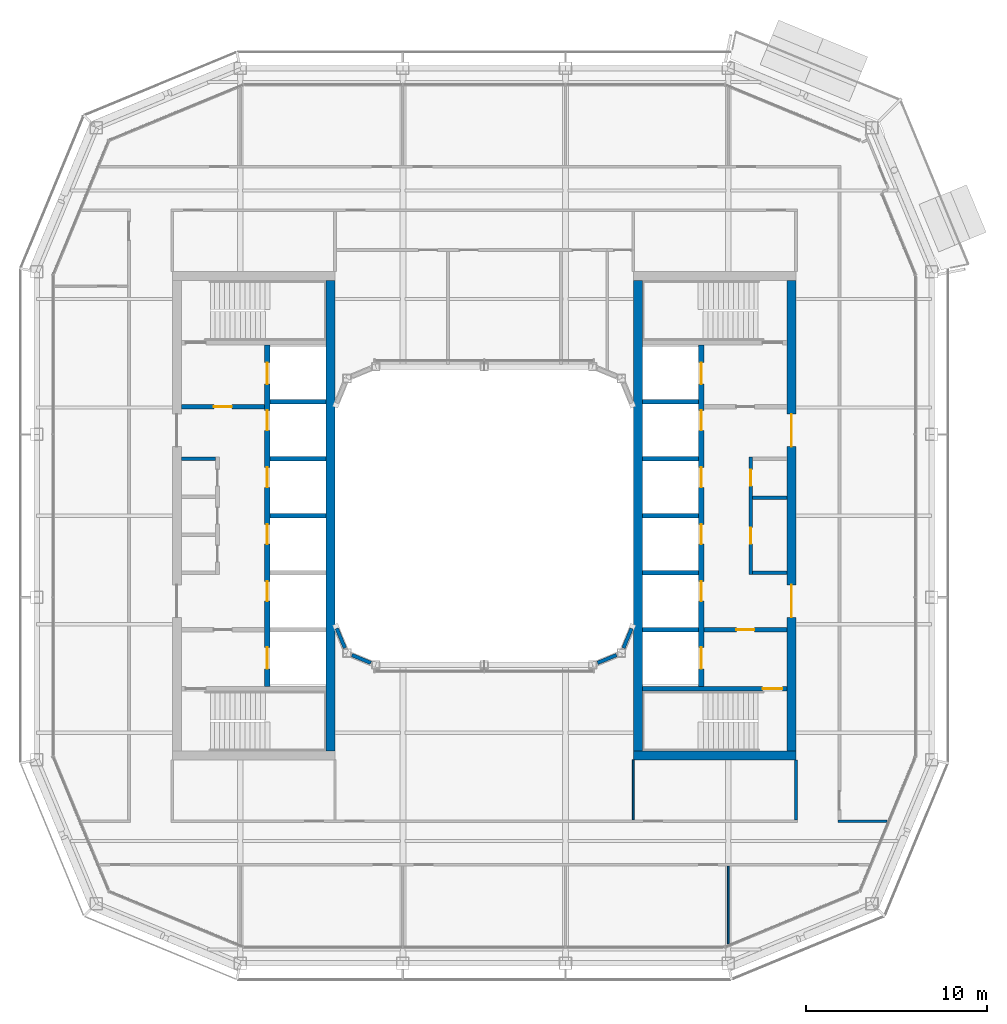
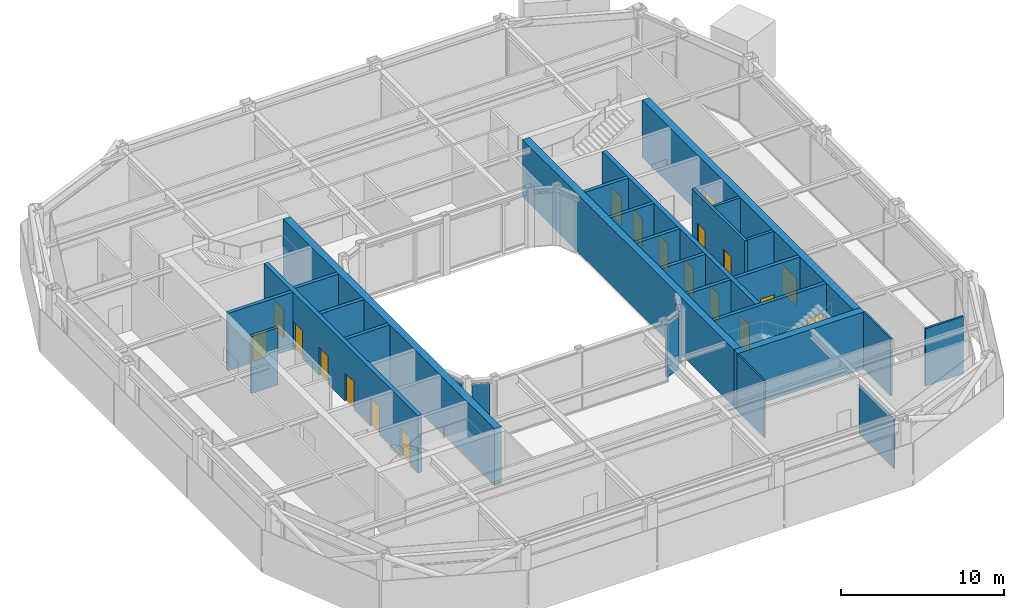
# One storey, part 12 of 21: 29 walls, 19 doors, 19 openings.
"""IFC4 building model written with IfcOpenShell, lengths in metres."""

from ifc_helpers import new_model, si_unit, direction, frame, frame_2d, origin, place, context, subcontext, project, spatial, rectangle, extrude, material, layer, layer_set, type_object, element, fill, save


model = new_model("IFC4")

# Units and contexts
model_context = context("Model", 3, precision=1e-05, world=origin(), true_north=direction((0.0, 1.0)))
body_context = subcontext(model_context, "Body", "Model", "MODEL_VIEW")
ifc_project = project(units=[si_unit("LENGTHUNIT", "METRE"), si_unit("AREAUNIT", "SQUARE_METRE"), si_unit("VOLUMEUNIT", "CUBIC_METRE"), si_unit("PLANEANGLEUNIT", "RADIAN"), si_unit("MASSUNIT", "GRAM", prefix="KILO")], contexts=[model_context])

# Site, building, storey
site_placement = place(None, origin())
site = spatial("IfcSite", under=ifc_project, at=site_placement, CompositionType="ELEMENT")
building_placement = place(site_placement, origin())
building = spatial("IfcBuilding", under=site, at=building_placement, Name="Siwar Civic Tower", CompositionType="ELEMENT")
storey_placement = place(building_placement, frame((0.0, 0.0, 343.699951171875)))
storey = spatial("IfcBuildingStorey", under=building, at=storey_placement, Name="L74", CompositionType="ELEMENT", Elevation=343.699951171875)

# Wall
ifc_material_1 = material(Name="Gypsum board on steel studs", Category="steel")
ifc_layer_1 = layer(ifc_material_1, 0.199951171875)
ifc_layer_set_1 = layer_set([ifc_layer_1], Name="Gypsum board on steel studs")
wall_type_1 = type_object("IfcWallType", Name="CORE-PARTITION-200", PredefinedType="PARTITIONING", material=ifc_layer_set_1)
wall_1_placement = place(storey_placement, frame((-14.85009765625, 3.14990234375, 0.0), z_axis=(0.0, 0.0, 1.0), x_axis=(-1.0, 0.0, 0.0)))
element("IfcWall", 1, at=wall_1_placement, inside=storey, type_object=wall_type_1, Name="Core partition W", PredefinedType="PARTITIONING", context=body_context, shape_type="SweptSolid", body=[
    extrude(rectangle(XDim=1.89990234375, YDim=0.199951171875, at=frame_2d((0.949951171875, 0.0))), origin(), (0.0, 0.0, 1.0), 4.300048828125),
])

# Wall, openings, doors
wall_2_placement = place(storey_placement, frame((14.75, -3.25, 0.0), z_axis=(0.0, 0.0, 1.0), x_axis=(0.0, 1.0, 0.0)))
wall_2 = element("IfcWall", 2, at=wall_2_placement, inside=storey, type_object=wall_type_1, Name="Core partition E", PredefinedType="PARTITIONING", context=body_context, shape_type="SweptSolid", body=[
    extrude(rectangle(XDim=6.5, YDim=0.199951171875, at=frame_2d((3.25, 0.0))), origin(), (0.0, 0.0, 1.0), 4.300048828125),
])
opening_1_placement = place(wall_2_placement, frame((1.699951171875, 0.0, 0.0)))
opening_1 = element("IfcOpeningElement", 3, at=opening_1_placement, cuts=wall_2, Name="Opening L74-CE13", PredefinedType="OPENING", context=body_context, shape_type="SweptSolid", body=[
    extrude(rectangle(XDim=0.89990234375, YDim=2.10009765625, at=frame_2d((0.449951171875, 1.050048828125))), frame((0.0, 0.10986328125, 0.0), z_axis=(0.0, -1.0, 0.0), x_axis=(1.0, 0.0, 0.0)), (0.0, 0.0, 1.0), 0.219970703125),
])
opening_2_placement = place(wall_2_placement, frame((4.89990234375, 0.0, 0.0)))
opening_2 = element("IfcOpeningElement", 4, at=opening_2_placement, cuts=wall_2, Name="Opening L74-CE14", PredefinedType="OPENING", context=body_context, shape_type="SweptSolid", body=[
    extrude(rectangle(XDim=0.89990234375, YDim=2.10009765625, at=frame_2d((0.449951171875, 1.050048828125))), frame((0.0, 0.10986328125, 0.0), z_axis=(0.0, -1.0, 0.0), x_axis=(1.0, 0.0, 0.0)), (0.0, 0.0, 1.0), 0.219970703125),
])
ifc_material_2 = material(Name="Steel door leaf", Category="steel")
door_type_1 = type_object("IfcDoorType", Name="CORE-DOOR-ROOM", OperationType="SINGLE_SWING_LEFT", PredefinedType="DOOR", material=ifc_material_2)
door_1_placement = place(opening_1_placement, origin())
door_1 = element("IfcDoor", 5, at=door_1_placement, inside=storey, type_object=door_type_1, Name="Core room door L74-CE13", OperationType="SINGLE_SWING_LEFT", OverallHeight=2.10009765625, OverallWidth=0.89990234375, PredefinedType="DOOR", context=body_context, shape_type="SweptSolid", body=[
    extrude(rectangle(XDim=0.89990234375, YDim=2.10009765625, at=frame_2d((0.449951171875, 1.050048828125))), frame((0.0, 0.02490234375, 0.0), z_axis=(0.0, -1.0, 0.0), x_axis=(1.0, 0.0, 0.0)), (0.0, 0.0, 1.0), 0.050048828125),
])
fill(opening_1, door_1)
door_2_placement = place(opening_2_placement, origin())
door_2 = element("IfcDoor", 6, at=door_2_placement, inside=storey, type_object=door_type_1, Name="Core room door L74-CE14", OperationType="SINGLE_SWING_RIGHT", OverallHeight=2.10009765625, OverallWidth=0.89990234375, PredefinedType="DOOR", context=body_context, shape_type="SweptSolid", body=[
    extrude(rectangle(XDim=0.89990234375, YDim=2.10009765625, at=frame_2d((0.449951171875, 1.050048828125))), frame((0.0, 0.02490234375, 0.0), z_axis=(0.0, -1.0, 0.0), x_axis=(1.0, 0.0, 0.0)), (0.0, 0.0, 1.0), 0.050048828125),
])
fill(opening_2, door_2)

# Walls
for number, where, z_axis, x_axis, name in (
    (7, (14.85009765625, -3.14990234375, 0.0), (0.0, 0.0, 1.0), (1.0, 0.0, 0.0), "Core partition E"),
    (8, (14.85009765625, 1.0, 0.0), (0.0, 0.0, 1.0), (1.0, 0.0, 0.0), "Core partition E"),
):
    element("IfcWall", number, at=place(storey_placement, frame(where, z_axis=z_axis, x_axis=x_axis)), inside=storey, type_object=wall_type_1, Name=name, PredefinedType="PARTITIONING", context=body_context, shape_type="SweptSolid", body=[
        extrude(rectangle(XDim=1.89990234375, YDim=0.199951171875, at=frame_2d((0.949951171875, 0.0))), origin(), (0.0, 0.0, 1.0), 4.300048828125),
    ])

# Wall, opening, door
ifc_material_3 = material(Name="Concrete C60/75", Category="concrete")
ifc_layer_2 = layer(ifc_material_3, 0.25)
ifc_layer_set_2 = layer_set([ifc_layer_2], Name="Concrete C60/75")
wall_type_2 = type_object("IfcWallType", Name="CORE-WALL-RC250", PredefinedType="SHEAR", material=ifc_layer_set_2)
wall_3_placement = place(storey_placement, frame((-12.14990234375, 6.02490234375, 0.0), z_axis=(0.0, 0.0, 1.0), x_axis=(-1.0, 0.0, 0.0)))
wall_3 = element("IfcWall", 9, at=wall_3_placement, inside=storey, type_object=wall_type_2, Name="Core wall W", PredefinedType="SHEAR", context=body_context, shape_type="SweptSolid", body=[
    extrude(rectangle(XDim=4.60009765625, YDim=0.25, at=frame_2d((2.300048828125, 0.0))), origin(), (0.0, 0.0, 1.0), 4.300048828125),
])
opening_3_placement = place(wall_3_placement, frame((1.800048828125, 0.0, 0.0)))
opening_3 = element("IfcOpeningElement", 10, at=opening_3_placement, cuts=wall_3, Name="Opening L74-CW01", PredefinedType="OPENING", context=body_context, shape_type="SweptSolid", body=[
    extrude(rectangle(XDim=1.0, YDim=2.10009765625, at=frame_2d((0.5, 1.050048828125))), frame((0.0, 0.135009765625, 0.0), z_axis=(0.0, -1.0, 0.0), x_axis=(1.0, 0.0, 0.0)), (0.0, 0.0, 1.0), 0.27001953125),
])
ifc_material_4 = material(Name="Steel door leaf", Category="steel")
door_type_2 = type_object("IfcDoorType", Name="CORE-DOOR-FD30S", OperationType="SINGLE_SWING_LEFT", PredefinedType="DOOR", material=ifc_material_4)
door_3_placement = place(opening_3_placement, origin())
door_3 = element("IfcDoor", 11, at=door_3_placement, inside=storey, type_object=door_type_2, Name="Firefighting lobby door L74-CW01", OperationType="SINGLE_SWING_LEFT", OverallHeight=2.10009765625, OverallWidth=1.0, PredefinedType="DOOR", context=body_context, shape_type="SweptSolid", body=[
    extrude(rectangle(XDim=1.0, YDim=2.10009765625, at=frame_2d((0.5, 1.050048828125))), frame((0.0, 0.02490234375, 0.0), z_axis=(0.0, -1.0, 0.0), x_axis=(1.0, 0.0, 0.0)), (0.0, 0.0, 1.0), 0.050048828125),
])
fill(opening_3, door_3)

# Walls
for number, where, z_axis, x_axis, name in (
    (12, (-8.75, 0.0, 0.0), (0.0, 0.0, 1.0), (-1.0, 0.0, 0.0), "Core wall W"),
    (13, (-8.75, 3.14990234375, 0.0), (0.0, 0.0, 1.0), (-1.0, 0.0, 0.0), "Core wall W"),
    (14, (-8.75, 6.300048828125, 0.0), (0.0, 0.0, 1.0), (-1.0, 0.0, 0.0), "Core wall W"),
):
    element("IfcWall", number, at=place(storey_placement, frame(where, z_axis=z_axis, x_axis=x_axis)), inside=storey, type_object=wall_type_2, Name=name, PredefinedType="SHEAR", context=body_context, shape_type="SweptSolid", body=[
        extrude(rectangle(XDim=3.10009765625, YDim=0.25, at=frame_2d((1.550048828125, 0.0))), origin(), (0.0, 0.0, 1.0), 4.300048828125),
    ])

# Wall, opening, door
wall_4_placement = place(storey_placement, frame((12.14990234375, -6.300048828125, 0.0), z_axis=(0.0, 0.0, 1.0), x_axis=(1.0, 0.0, 0.0)))
wall_4 = element("IfcWall", 15, at=wall_4_placement, inside=storey, type_object=wall_type_2, Name="Core wall E", PredefinedType="SHEAR", context=body_context, shape_type="SweptSolid", body=[
    extrude(rectangle(XDim=4.60009765625, YDim=0.25, at=frame_2d((2.300048828125, 0.0))), origin(), (0.0, 0.0, 1.0), 4.300048828125),
])
opening_4_placement = place(wall_4_placement, frame((1.800048828125, 0.0, 0.0)))
opening_4 = element("IfcOpeningElement", 16, at=opening_4_placement, cuts=wall_4, Name="Opening L74-CE02", PredefinedType="OPENING", context=body_context, shape_type="SweptSolid", body=[
    extrude(rectangle(XDim=1.0, YDim=2.10009765625, at=frame_2d((0.5, 1.050048828125))), frame((0.0, 0.135009765625, 0.0), z_axis=(0.0, -1.0, 0.0), x_axis=(1.0, 0.0, 0.0)), (0.0, 0.0, 1.0), 0.27001953125),
])
door_4_placement = place(opening_4_placement, origin())
door_4 = element("IfcDoor", 17, at=door_4_placement, inside=storey, type_object=door_type_2, Name="Service lobby door L74-CE02", OperationType="SINGLE_SWING_LEFT", OverallHeight=2.10009765625, OverallWidth=1.0, PredefinedType="DOOR", context=body_context, shape_type="SweptSolid", body=[
    extrude(rectangle(XDim=1.0, YDim=2.10009765625, at=frame_2d((0.5, 1.050048828125))), frame((0.0, 0.02490234375, 0.0), z_axis=(0.0, -1.0, 0.0), x_axis=(1.0, 0.0, 0.0)), (0.0, 0.0, 1.0), 0.050048828125),
])
fill(opening_4, door_4)

# Walls
for number, where, z_axis, x_axis, name in (
    (18, (8.75, 0.0, 0.0), (0.0, 0.0, 1.0), (1.0, 0.0, 0.0), "Core wall E"),
    (19, (8.75, 3.14990234375, 0.0), (0.0, 0.0, 1.0), (1.0, 0.0, 0.0), "Core wall E"),
    (20, (8.75, 6.300048828125, 0.0), (0.0, 0.0, 1.0), (1.0, 0.0, 0.0), "Core wall E"),
    (21, (8.75, -3.14990234375, 0.0), (0.0, 0.0, 1.0), (1.0, 0.0, 0.0), "Core wall E"),
    (22, (8.75, -6.300048828125, 0.0), (0.0, 0.0, 1.0), (1.0, 0.0, 0.0), "Core wall E"),
):
    element("IfcWall", number, at=place(storey_placement, frame(where, z_axis=z_axis, x_axis=x_axis)), inside=storey, type_object=wall_type_2, Name=name, PredefinedType="SHEAR", context=body_context, shape_type="SweptSolid", body=[
        extrude(rectangle(XDim=3.10009765625, YDim=0.25, at=frame_2d((1.550048828125, 0.0))), origin(), (0.0, 0.0, 1.0), 4.300048828125),
    ])

# Wall, opening, door
wall_5_placement = place(storey_placement, frame((8.75, -9.574951171875, 0.0), z_axis=(0.0, 0.0, 1.0), x_axis=(1.0, 0.0, 0.0)))
wall_5 = element("IfcWall", 23, at=wall_5_placement, inside=storey, type_object=wall_type_2, Name="Core wall E", PredefinedType="SHEAR", context=body_context, shape_type="SweptSolid", body=[
    extrude(rectangle(XDim=8.0, YDim=0.25, at=frame_2d((4.0, 0.0))), origin(), (0.0, 0.0, 1.0), 4.300048828125),
])
opening_5_placement = place(wall_5_placement, frame((6.64990234375, 0.0, 0.0)))
opening_5 = element("IfcOpeningElement", 24, at=opening_5_placement, cuts=wall_5, Name="Opening L74-CE04", PredefinedType="OPENING", context=body_context, shape_type="SweptSolid", body=[
    extrude(rectangle(XDim=1.10009765625, YDim=2.10009765625, at=frame_2d((0.550048828125, 1.050048828125))), frame((0.0, 0.135009765625, 0.0), z_axis=(0.0, -1.0, 0.0), x_axis=(1.0, 0.0, 0.0)), (0.0, 0.0, 1.0), 0.27001953125),
])
ifc_material_5 = material(Name="Steel door leaf", Category="steel")
door_type_3 = type_object("IfcDoorType", Name="CORE-DOOR-FD60S", OperationType="SINGLE_SWING_LEFT", PredefinedType="DOOR", material=ifc_material_5)
door_5_placement = place(opening_5_placement, origin())
door_5 = element("IfcDoor", 25, at=door_5_placement, inside=storey, type_object=door_type_3, Name="Stair door L74-CE04", OperationType="SINGLE_SWING_RIGHT", OverallHeight=2.10009765625, OverallWidth=1.10009765625, PredefinedType="DOOR", context=body_context, shape_type="SweptSolid", body=[
    extrude(rectangle(XDim=1.10009765625, YDim=2.10009765625, at=frame_2d((0.550048828125, 1.050048828125))), frame((0.0, 0.02490234375, 0.0), z_axis=(0.0, -1.0, 0.0), x_axis=(1.0, 0.0, 0.0)), (0.0, 0.0, 1.0), 0.050048828125),
])
fill(opening_5, door_5)

# Wall, openings, doors
ifc_material_6 = material(Name="Concrete C60/75", Category="concrete")
ifc_layer_3 = layer(ifc_material_6, 0.300048828125)
ifc_layer_set_3 = layer_set([ifc_layer_3], Name="Concrete C60/75")
wall_type_3 = type_object("IfcWallType", Name="CORE-WALL-RC300", PredefinedType="SHEAR", material=ifc_layer_set_3)
wall_6_placement = place(storey_placement, frame((-12.0, -9.449951171875, 0.0), z_axis=(0.0, 0.0, 1.0), x_axis=(0.0, 1.0, 0.0)))
wall_6 = element("IfcWall", 26, at=wall_6_placement, inside=storey, type_object=wall_type_3, Name="Core wall W", PredefinedType="SHEAR", context=body_context, shape_type="SweptSolid", body=[
    extrude(rectangle(XDim=18.89990234375, YDim=0.300048828125, at=frame_2d((9.449951171875, 0.0))), origin(), (0.0, 0.0, 1.0), 4.300048828125),
])
opening_6_placement = place(wall_6_placement, frame((4.72509765625, 0.0, 0.0)))
opening_6 = element("IfcOpeningElement", 27, at=opening_6_placement, cuts=wall_6, Name="Opening L74-CW07", PredefinedType="OPENING", context=body_context, shape_type="SweptSolid", body=[
    extrude(rectangle(XDim=1.10009765625, YDim=2.10009765625, at=frame_2d((0.550048828125, 1.050048828125))), frame((0.0, 0.16015625, 0.0), z_axis=(0.0, -1.0, 0.0), x_axis=(1.0, 0.0, 0.0)), (0.0, 0.0, 1.0), 0.320068359375),
])
opening_7_placement = place(wall_6_placement, frame((7.875, 0.0, 0.0)))
opening_7 = element("IfcOpeningElement", 28, at=opening_7_placement, cuts=wall_6, Name="Opening L74-CW08", PredefinedType="OPENING", context=body_context, shape_type="SweptSolid", body=[
    extrude(rectangle(XDim=1.10009765625, YDim=2.10009765625, at=frame_2d((0.550048828125, 1.050048828125))), frame((0.0, 0.16015625, 0.0), z_axis=(0.0, -1.0, 0.0), x_axis=(1.0, 0.0, 0.0)), (0.0, 0.0, 1.0), 0.320068359375),
])
opening_8_placement = place(wall_6_placement, frame((11.02490234375, 0.0, 0.0)))
opening_8 = element("IfcOpeningElement", 29, at=opening_8_placement, cuts=wall_6, Name="Opening L74-CW09", PredefinedType="OPENING", context=body_context, shape_type="SweptSolid", body=[
    extrude(rectangle(XDim=1.10009765625, YDim=2.10009765625, at=frame_2d((0.550048828125, 1.050048828125))), frame((0.0, 0.16015625, 0.0), z_axis=(0.0, -1.0, 0.0), x_axis=(1.0, 0.0, 0.0)), (0.0, 0.0, 1.0), 0.320068359375),
])
opening_9_placement = place(wall_6_placement, frame((14.175048828125, 0.0, 0.0)))
opening_9 = element("IfcOpeningElement", 30, at=opening_9_placement, cuts=wall_6, Name="Opening L74-CW10", PredefinedType="OPENING", context=body_context, shape_type="SweptSolid", body=[
    extrude(rectangle(XDim=1.10009765625, YDim=2.10009765625, at=frame_2d((0.550048828125, 1.050048828125))), frame((0.0, 0.16015625, 0.0), z_axis=(0.0, -1.0, 0.0), x_axis=(1.0, 0.0, 0.0)), (0.0, 0.0, 1.0), 0.320068359375),
])
opening_10_placement = place(wall_6_placement, frame((16.72509765625, 0.0, 0.0)))
opening_10 = element("IfcOpeningElement", 31, at=opening_10_placement, cuts=wall_6, Name="Opening L74-CW11", PredefinedType="OPENING", context=body_context, shape_type="SweptSolid", body=[
    extrude(rectangle(XDim=1.199951171875, YDim=2.10009765625, at=frame_2d((0.60009765625, 1.050048828125))), frame((0.0, 0.16015625, 0.0), z_axis=(0.0, -1.0, 0.0), x_axis=(1.0, 0.0, 0.0)), (0.0, 0.0, 1.0), 0.320068359375),
])
opening_11_placement = place(wall_6_placement, frame((0.97509765625, 0.0, 0.0)))
opening_11 = element("IfcOpeningElement", 32, at=opening_11_placement, cuts=wall_6, Name="Opening L74-CW12", PredefinedType="OPENING", context=body_context, shape_type="SweptSolid", body=[
    extrude(rectangle(XDim=1.199951171875, YDim=2.10009765625, at=frame_2d((0.60009765625, 1.050048828125))), frame((0.0, 0.16015625, 0.0), z_axis=(0.0, -1.0, 0.0), x_axis=(1.0, 0.0, 0.0)), (0.0, 0.0, 1.0), 0.320068359375),
])
ifc_material_7 = material(Name="Steel door leaf", Category="steel")
door_type_4 = type_object("IfcDoorType", Name="CORE-DOOR-LD", OperationType="DOUBLE_DOOR_SLIDING", PredefinedType="DOOR", material=ifc_material_7)
door_6_placement = place(opening_6_placement, origin())
door_6 = element("IfcDoor", 33, at=door_6_placement, inside=storey, type_object=door_type_4, Name="Landing door HR1 L74-CW07", OperationType="DOUBLE_DOOR_SLIDING", OverallHeight=2.10009765625, OverallWidth=1.10009765625, PredefinedType="DOOR", context=body_context, shape_type="SweptSolid", body=[
    extrude(rectangle(XDim=1.10009765625, YDim=2.10009765625, at=frame_2d((0.550048828125, 1.050048828125))), frame((0.0, 0.02490234375, 0.0), z_axis=(0.0, -1.0, 0.0), x_axis=(1.0, 0.0, 0.0)), (0.0, 0.0, 1.0), 0.050048828125),
])
fill(opening_6, door_6)
door_7_placement = place(opening_7_placement, origin())
door_7 = element("IfcDoor", 34, at=door_7_placement, inside=storey, type_object=door_type_4, Name="Landing door HR2 L74-CW08", OperationType="DOUBLE_DOOR_SLIDING", OverallHeight=2.10009765625, OverallWidth=1.10009765625, PredefinedType="DOOR", context=body_context, shape_type="SweptSolid", body=[
    extrude(rectangle(XDim=1.10009765625, YDim=2.10009765625, at=frame_2d((0.550048828125, 1.050048828125))), frame((0.0, 0.02490234375, 0.0), z_axis=(0.0, -1.0, 0.0), x_axis=(1.0, 0.0, 0.0)), (0.0, 0.0, 1.0), 0.050048828125),
])
fill(opening_7, door_7)
door_8_placement = place(opening_8_placement, origin())
door_8 = element("IfcDoor", 35, at=door_8_placement, inside=storey, type_object=door_type_4, Name="Landing door HR3 L74-CW09", OperationType="DOUBLE_DOOR_SLIDING", OverallHeight=2.10009765625, OverallWidth=1.10009765625, PredefinedType="DOOR", context=body_context, shape_type="SweptSolid", body=[
    extrude(rectangle(XDim=1.10009765625, YDim=2.10009765625, at=frame_2d((0.550048828125, 1.050048828125))), frame((0.0, 0.02490234375, 0.0), z_axis=(0.0, -1.0, 0.0), x_axis=(1.0, 0.0, 0.0)), (0.0, 0.0, 1.0), 0.050048828125),
])
fill(opening_8, door_8)
door_9_placement = place(opening_9_placement, origin())
door_9 = element("IfcDoor", 36, at=door_9_placement, inside=storey, type_object=door_type_4, Name="Landing door HR4 L74-CW10", OperationType="DOUBLE_DOOR_SLIDING", OverallHeight=2.10009765625, OverallWidth=1.10009765625, PredefinedType="DOOR", context=body_context, shape_type="SweptSolid", body=[
    extrude(rectangle(XDim=1.10009765625, YDim=2.10009765625, at=frame_2d((0.550048828125, 1.050048828125))), frame((0.0, 0.02490234375, 0.0), z_axis=(0.0, -1.0, 0.0), x_axis=(1.0, 0.0, 0.0)), (0.0, 0.0, 1.0), 0.050048828125),
])
fill(opening_9, door_9)
ifc_material_8 = material(Name="Steel door leaf", Category="steel")
door_type_5 = type_object("IfcDoorType", Name="CORE-DOOR-LDW", OperationType="DOUBLE_DOOR_SLIDING", PredefinedType="DOOR", material=ifc_material_8)
door_10_placement = place(opening_10_placement, origin())
door_10 = element("IfcDoor", 37, at=door_10_placement, inside=storey, type_object=door_type_5, Name="Landing door FF1 L74-CW11", OperationType="DOUBLE_DOOR_SLIDING", OverallHeight=2.10009765625, OverallWidth=1.199951171875, PredefinedType="DOOR", context=body_context, shape_type="SweptSolid", body=[
    extrude(rectangle(XDim=1.199951171875, YDim=2.10009765625, at=frame_2d((0.60009765625, 1.050048828125))), frame((0.0, 0.02490234375, 0.0), z_axis=(0.0, -1.0, 0.0), x_axis=(1.0, 0.0, 0.0)), (0.0, 0.0, 1.0), 0.050048828125),
])
fill(opening_10, door_10)
door_11_placement = place(opening_11_placement, origin())
door_11 = element("IfcDoor", 38, at=door_11_placement, inside=storey, type_object=door_type_5, Name="Landing door SV1 L74-CW12", OperationType="DOUBLE_DOOR_SLIDING", OverallHeight=2.10009765625, OverallWidth=1.199951171875, PredefinedType="DOOR", context=body_context, shape_type="SweptSolid", body=[
    extrude(rectangle(XDim=1.199951171875, YDim=2.10009765625, at=frame_2d((0.60009765625, 1.050048828125))), frame((0.0, 0.02490234375, 0.0), z_axis=(0.0, -1.0, 0.0), x_axis=(1.0, 0.0, 0.0)), (0.0, 0.0, 1.0), 0.050048828125),
])
fill(opening_11, door_11)

wall_7_placement = place(storey_placement, frame((12.0, -9.449951171875, 0.0), z_axis=(0.0, 0.0, 1.0), x_axis=(0.0, 1.0, 0.0)))
wall_7 = element("IfcWall", 39, at=wall_7_placement, inside=storey, type_object=wall_type_3, Name="Core wall E", PredefinedType="SHEAR", context=body_context, shape_type="SweptSolid", body=[
    extrude(rectangle(XDim=18.89990234375, YDim=0.300048828125, at=frame_2d((9.449951171875, 0.0))), origin(), (0.0, 0.0, 1.0), 4.300048828125),
])
opening_12_placement = place(wall_7_placement, frame((4.72509765625, 0.0, 0.0)))
opening_12 = element("IfcOpeningElement", 40, at=opening_12_placement, cuts=wall_7, Name="Opening L74-CE07", PredefinedType="OPENING", context=body_context, shape_type="SweptSolid", body=[
    extrude(rectangle(XDim=1.10009765625, YDim=2.10009765625, at=frame_2d((0.550048828125, 1.050048828125))), frame((0.0, 0.16015625, 0.0), z_axis=(0.0, -1.0, 0.0), x_axis=(1.0, 0.0, 0.0)), (0.0, 0.0, 1.0), 0.320068359375),
])
opening_13_placement = place(wall_7_placement, frame((7.875, 0.0, 0.0)))
opening_13 = element("IfcOpeningElement", 41, at=opening_13_placement, cuts=wall_7, Name="Opening L74-CE08", PredefinedType="OPENING", context=body_context, shape_type="SweptSolid", body=[
    extrude(rectangle(XDim=1.10009765625, YDim=2.10009765625, at=frame_2d((0.550048828125, 1.050048828125))), frame((0.0, 0.16015625, 0.0), z_axis=(0.0, -1.0, 0.0), x_axis=(1.0, 0.0, 0.0)), (0.0, 0.0, 1.0), 0.320068359375),
])
opening_14_placement = place(wall_7_placement, frame((11.02490234375, 0.0, 0.0)))
opening_14 = element("IfcOpeningElement", 42, at=opening_14_placement, cuts=wall_7, Name="Opening L74-CE09", PredefinedType="OPENING", context=body_context, shape_type="SweptSolid", body=[
    extrude(rectangle(XDim=1.10009765625, YDim=2.10009765625, at=frame_2d((0.550048828125, 1.050048828125))), frame((0.0, 0.16015625, 0.0), z_axis=(0.0, -1.0, 0.0), x_axis=(1.0, 0.0, 0.0)), (0.0, 0.0, 1.0), 0.320068359375),
])
opening_15_placement = place(wall_7_placement, frame((14.175048828125, 0.0, 0.0)))
opening_15 = element("IfcOpeningElement", 43, at=opening_15_placement, cuts=wall_7, Name="Opening L74-CE10", PredefinedType="OPENING", context=body_context, shape_type="SweptSolid", body=[
    extrude(rectangle(XDim=1.10009765625, YDim=2.10009765625, at=frame_2d((0.550048828125, 1.050048828125))), frame((0.0, 0.16015625, 0.0), z_axis=(0.0, -1.0, 0.0), x_axis=(1.0, 0.0, 0.0)), (0.0, 0.0, 1.0), 0.320068359375),
])
opening_16_placement = place(wall_7_placement, frame((16.72509765625, 0.0, 0.0)))
opening_16 = element("IfcOpeningElement", 44, at=opening_16_placement, cuts=wall_7, Name="Opening L74-CE11", PredefinedType="OPENING", context=body_context, shape_type="SweptSolid", body=[
    extrude(rectangle(XDim=1.199951171875, YDim=2.10009765625, at=frame_2d((0.60009765625, 1.050048828125))), frame((0.0, 0.16015625, 0.0), z_axis=(0.0, -1.0, 0.0), x_axis=(1.0, 0.0, 0.0)), (0.0, 0.0, 1.0), 0.320068359375),
])
opening_17_placement = place(wall_7_placement, frame((0.97509765625, 0.0, 0.0)))
opening_17 = element("IfcOpeningElement", 45, at=opening_17_placement, cuts=wall_7, Name="Opening L74-CE12", PredefinedType="OPENING", context=body_context, shape_type="SweptSolid", body=[
    extrude(rectangle(XDim=1.199951171875, YDim=2.10009765625, at=frame_2d((0.60009765625, 1.050048828125))), frame((0.0, 0.16015625, 0.0), z_axis=(0.0, -1.0, 0.0), x_axis=(1.0, 0.0, 0.0)), (0.0, 0.0, 1.0), 0.320068359375),
])
door_12_placement = place(opening_12_placement, origin())
door_12 = element("IfcDoor", 46, at=door_12_placement, inside=storey, type_object=door_type_4, Name="Landing door HR5 L74-CE07", OperationType="DOUBLE_DOOR_SLIDING", OverallHeight=2.10009765625, OverallWidth=1.10009765625, PredefinedType="DOOR", context=body_context, shape_type="SweptSolid", body=[
    extrude(rectangle(XDim=1.10009765625, YDim=2.10009765625, at=frame_2d((0.550048828125, 1.050048828125))), frame((0.0, 0.02490234375, 0.0), z_axis=(0.0, -1.0, 0.0), x_axis=(1.0, 0.0, 0.0)), (0.0, 0.0, 1.0), 0.050048828125),
])
fill(opening_12, door_12)
door_13_placement = place(opening_13_placement, origin())
door_13 = element("IfcDoor", 47, at=door_13_placement, inside=storey, type_object=door_type_4, Name="Landing door HR6 L74-CE08", OperationType="DOUBLE_DOOR_SLIDING", OverallHeight=2.10009765625, OverallWidth=1.10009765625, PredefinedType="DOOR", context=body_context, shape_type="SweptSolid", body=[
    extrude(rectangle(XDim=1.10009765625, YDim=2.10009765625, at=frame_2d((0.550048828125, 1.050048828125))), frame((0.0, 0.02490234375, 0.0), z_axis=(0.0, -1.0, 0.0), x_axis=(1.0, 0.0, 0.0)), (0.0, 0.0, 1.0), 0.050048828125),
])
fill(opening_13, door_13)
door_14_placement = place(opening_14_placement, origin())
door_14 = element("IfcDoor", 48, at=door_14_placement, inside=storey, type_object=door_type_4, Name="Landing door HR7 L74-CE09", OperationType="DOUBLE_DOOR_SLIDING", OverallHeight=2.10009765625, OverallWidth=1.10009765625, PredefinedType="DOOR", context=body_context, shape_type="SweptSolid", body=[
    extrude(rectangle(XDim=1.10009765625, YDim=2.10009765625, at=frame_2d((0.550048828125, 1.050048828125))), frame((0.0, 0.02490234375, 0.0), z_axis=(0.0, -1.0, 0.0), x_axis=(1.0, 0.0, 0.0)), (0.0, 0.0, 1.0), 0.050048828125),
])
fill(opening_14, door_14)
door_15_placement = place(opening_15_placement, origin())
door_15 = element("IfcDoor", 49, at=door_15_placement, inside=storey, type_object=door_type_4, Name="Landing door HR8 L74-CE10", OperationType="DOUBLE_DOOR_SLIDING", OverallHeight=2.10009765625, OverallWidth=1.10009765625, PredefinedType="DOOR", context=body_context, shape_type="SweptSolid", body=[
    extrude(rectangle(XDim=1.10009765625, YDim=2.10009765625, at=frame_2d((0.550048828125, 1.050048828125))), frame((0.0, 0.02490234375, 0.0), z_axis=(0.0, -1.0, 0.0), x_axis=(1.0, 0.0, 0.0)), (0.0, 0.0, 1.0), 0.050048828125),
])
fill(opening_15, door_15)
door_16_placement = place(opening_16_placement, origin())
door_16 = element("IfcDoor", 50, at=door_16_placement, inside=storey, type_object=door_type_5, Name="Landing door FF2 L74-CE11", OperationType="DOUBLE_DOOR_SLIDING", OverallHeight=2.10009765625, OverallWidth=1.199951171875, PredefinedType="DOOR", context=body_context, shape_type="SweptSolid", body=[
    extrude(rectangle(XDim=1.199951171875, YDim=2.10009765625, at=frame_2d((0.60009765625, 1.050048828125))), frame((0.0, 0.02490234375, 0.0), z_axis=(0.0, -1.0, 0.0), x_axis=(1.0, 0.0, 0.0)), (0.0, 0.0, 1.0), 0.050048828125),
])
fill(opening_16, door_16)
door_17_placement = place(opening_17_placement, origin())
door_17 = element("IfcDoor", 51, at=door_17_placement, inside=storey, type_object=door_type_5, Name="Landing door SV2 L74-CE12", OperationType="DOUBLE_DOOR_SLIDING", OverallHeight=2.10009765625, OverallWidth=1.199951171875, PredefinedType="DOOR", context=body_context, shape_type="SweptSolid", body=[
    extrude(rectangle(XDim=1.199951171875, YDim=2.10009765625, at=frame_2d((0.60009765625, 1.050048828125))), frame((0.0, 0.02490234375, 0.0), z_axis=(0.0, -1.0, 0.0), x_axis=(1.0, 0.0, 0.0)), (0.0, 0.0, 1.0), 0.050048828125),
])
fill(opening_17, door_17)

ifc_material_9 = material(Name="Concrete C60/75", Category="concrete")
ifc_layer_4 = layer(ifc_material_9, 0.5)
ifc_layer_set_4 = layer_set([ifc_layer_4], Name="Concrete C60/75")
wall_type_4 = type_object("IfcWallType", Name="CORE-WALL-RC500", PredefinedType="SHEAR", material=ifc_layer_set_4)
wall_8_placement = place(storey_placement, frame((17.0, -13.0, 0.0), z_axis=(0.0, 0.0, 1.0), x_axis=(0.0, 1.0, 0.0)))
wall_8 = element("IfcWall", 52, at=wall_8_placement, inside=storey, type_object=wall_type_4, Name="Core wall E", PredefinedType="SHEAR", context=body_context, shape_type="SweptSolid", body=[
    extrude(rectangle(XDim=26.0, YDim=0.5, at=frame_2d((13.0, 0.0))), origin(), (0.0, 0.0, 1.0), 4.300048828125),
])
opening_18_placement = place(wall_8_placement, frame((16.824951171875, 0.0, 0.0)))
opening_18 = element("IfcOpeningElement", 53, at=opening_18_placement, cuts=wall_8, Name="Opening L74-CE05", PredefinedType="OPENING", context=body_context, shape_type="SweptSolid", body=[
    extrude(rectangle(XDim=1.800048828125, YDim=2.10009765625, at=frame_2d((0.89990234375, 1.050048828125))), frame((0.0, 0.260009765625, 0.0), z_axis=(0.0, -1.0, 0.0), x_axis=(1.0, 0.0, 0.0)), (0.0, 0.0, 1.0), 0.52001953125),
])
opening_19_placement = place(wall_8_placement, frame((7.375, 0.0, 0.0)))
opening_19 = element("IfcOpeningElement", 54, at=opening_19_placement, cuts=wall_8, Name="Opening L74-CE06", PredefinedType="OPENING", context=body_context, shape_type="SweptSolid", body=[
    extrude(rectangle(XDim=1.800048828125, YDim=2.10009765625, at=frame_2d((0.89990234375, 1.050048828125))), frame((0.0, 0.260009765625, 0.0), z_axis=(0.0, -1.0, 0.0), x_axis=(1.0, 0.0, 0.0)), (0.0, 0.0, 1.0), 0.52001953125),
])
ifc_material_10 = material(Name="Steel door leaf", Category="steel")
door_type_6 = type_object("IfcDoorType", Name="CORE-DOOR-PORT", OperationType="DOUBLE_DOOR_DOUBLE_SWING", PredefinedType="DOOR", material=ifc_material_10)
door_18_placement = place(opening_18_placement, origin())
door_18 = element("IfcDoor", 55, at=door_18_placement, inside=storey, type_object=door_type_6, Name="Core entrance door L74-CE05", OperationType="DOUBLE_DOOR_DOUBLE_SWING", OverallHeight=2.10009765625, OverallWidth=1.800048828125, PredefinedType="DOOR", context=body_context, shape_type="SweptSolid", body=[
    extrude(rectangle(XDim=1.800048828125, YDim=2.10009765625, at=frame_2d((0.89990234375, 1.050048828125))), frame((0.0, 0.02490234375, 0.0), z_axis=(0.0, -1.0, 0.0), x_axis=(1.0, 0.0, 0.0)), (0.0, 0.0, 1.0), 0.050048828125),
])
fill(opening_18, door_18)
door_19_placement = place(opening_19_placement, origin())
door_19 = element("IfcDoor", 56, at=door_19_placement, inside=storey, type_object=door_type_6, Name="Core entrance door L74-CE06", OperationType="DOUBLE_DOOR_DOUBLE_SWING", OverallHeight=2.10009765625, OverallWidth=1.800048828125, PredefinedType="DOOR", context=body_context, shape_type="SweptSolid", body=[
    extrude(rectangle(XDim=1.800048828125, YDim=2.10009765625, at=frame_2d((0.89990234375, 1.050048828125))), frame((0.0, 0.02490234375, 0.0), z_axis=(0.0, -1.0, 0.0), x_axis=(1.0, 0.0, 0.0)), (0.0, 0.0, 1.0), 0.050048828125),
])
fill(opening_19, door_19)

# Walls
wall_9_placement = place(storey_placement, frame((8.25, -13.25, 0.0), z_axis=(0.0, 0.0, 1.0), x_axis=(1.0, 0.0, 0.0)))
element("IfcWall", 57, at=wall_9_placement, inside=storey, type_object=wall_type_4, Name="Core wall E", PredefinedType="SHEAR", context=body_context, shape_type="SweptSolid", body=[
    extrude(rectangle(XDim=9.0, YDim=0.5, at=frame_2d((4.5, 0.0))), origin(), (0.0, 0.0, 1.0), 4.300048828125),
])
ifc_material_11 = material(Name="Concrete C60/75", Category="concrete")
ifc_layer_5 = layer(ifc_material_11, 0.5)
ifc_layer_set_5 = layer_set([ifc_layer_5], Name="Concrete C60/75")
wall_type_5 = type_object("IfcWallType", Name="CORE-WALL-RC500-EXT", PredefinedType="SHEAR", material=ifc_layer_set_5)
for number, where, z_axis, x_axis, name in (
    (58, (-8.5, -13.0, 0.0), (0.0, 0.0, 1.0), (0.0, 1.0, 0.0), "Core wall W"),
    (59, (8.5, -13.0, 0.0), (0.0, 0.0, 1.0), (0.0, 1.0, 0.0), "Core wall E"),
):
    element("IfcWall", number, at=place(storey_placement, frame(where, z_axis=z_axis, x_axis=x_axis)), inside=storey, type_object=wall_type_5, Name=name, PredefinedType="SHEAR", context=body_context, shape_type="SweptSolid", body=[
        extrude(rectangle(XDim=26.0, YDim=0.5, at=frame_2d((13.0, 0.0))), origin(), (0.0, 0.0, 1.0), 4.300048828125),
    ])
ifc_material_12 = material(Name="Gypsum board on steel studs", Category="steel")
ifc_layer_6 = layer(ifc_material_12, 0.14990234375)
ifc_layer_set_6 = layer_set([ifc_layer_6], Name="Gypsum board on steel studs")
wall_type_6 = type_object("IfcWallType", Name="CORRIDOR PARTITION 150 EI 30", PredefinedType="PARTITIONING", material=ifc_layer_set_6)
wall_10_placement = place(storey_placement, frame((19.574951171875, -16.89990234375, 0.0), z_axis=(0.0, 0.0, 1.0), x_axis=(1.0, 0.0, 0.0)))
element("IfcWall", 60, at=wall_10_placement, inside=storey, type_object=wall_type_6, Name="L74/wall/P04", PredefinedType="PARTITIONING", context=body_context, shape_type="SweptSolid", body=[
    extrude(rectangle(XDim=2.695068359375, YDim=0.14990234375, at=frame_2d((1.34765625, 0.0))), origin(), (0.0, 0.0, 1.0), 4.300048828125),
])
wall_11_placement = place(storey_placement, frame((17.25, -16.824951171875, 0.0), z_axis=(0.0, 0.0, 1.0), x_axis=(0.0, 1.0, 0.0)))
element("IfcWall", 61, at=wall_11_placement, inside=storey, type_object=wall_type_6, Name="L74/wall/P30", PredefinedType="PARTITIONING", context=body_context, shape_type="SweptSolid", body=[
    extrude(rectangle(XDim=3.324951171875, YDim=0.14990234375, at=frame_2d((1.66259765625, 0.0))), origin(), (0.0, 0.0, 1.0), 4.300048828125),
])
ifc_material_13 = material(Name="Aluminium clad insulated panel", Category="aluminium")
ifc_layer_7 = layer(ifc_material_13, 0.199951171875)
ifc_layer_set_7 = layer_set([ifc_layer_7], Name="Aluminium clad insulated panel")
wall_type_7 = type_object("IfcWallType", Name="ENV-WALL-WELL", PredefinedType="STANDARD", material=ifc_layer_set_7)
wall_12_placement = place(storey_placement, frame((6.271484375, -8.137451171875, 0.0), z_axis=(0.0, 0.0, 1.0), x_axis=(0.923864661962, 0.382719331074, 0.0)))
element("IfcWall", 62, at=wall_12_placement, inside=storey, type_object=wall_type_7, Name="Light well corner wall SE1", PredefinedType="STANDARD", context=body_context, shape_type="SweptSolid", body=[
    extrude(rectangle(XDim=1.13427734375, YDim=0.199951171875, at=frame_2d((0.567138671875, 0.0))), origin(), (0.0, 0.0, 1.0), 3.9599609375),
])
for number, where, z_axis, x_axis, name in (
    (63, (7.703369140625, -7.3193359375, 0.0), (0.0, 0.0, 1.0), (0.382760542083, 0.92384758885, 0.0), "Light well corner wall SE2"),
    (64, (-8.154296875, -6.23095703125, 0.0), (0.0, 0.0, 1.0), (0.382760542083, -0.92384758885, 0.0), "Light well corner wall SW1"),
):
    element("IfcWall", number, at=place(storey_placement, frame(where, z_axis=z_axis, x_axis=x_axis)), inside=storey, type_object=wall_type_7, Name=name, PredefinedType="STANDARD", context=body_context, shape_type="SweptSolid", body=[
        extrude(rectangle(XDim=1.177978515625, YDim=0.199951171875, at=frame_2d((0.5888671875, 0.0))), origin(), (0.0, 0.0, 1.0), 3.9599609375),
    ])
wall_13_placement = place(storey_placement, frame((-7.3193359375, -7.703369140625, 0.0), z_axis=(0.0, 0.0, 1.0), x_axis=(0.923864661962, -0.382719331074, 0.0)))
element("IfcWall", 65, at=wall_13_placement, inside=storey, type_object=wall_type_7, Name="Light well corner wall SW2", PredefinedType="STANDARD", context=body_context, shape_type="SweptSolid", body=[
    extrude(rectangle(XDim=1.13427734375, YDim=0.199951171875, at=frame_2d((0.567138671875, 0.0))), origin(), (0.0, 0.0, 1.0), 3.9599609375),
])
ifc_material_14 = material(Name="Gypsum board on steel studs", Category="steel")
ifc_layer_8 = layer(ifc_material_14, 0.10009765625)
ifc_layer_set_8 = layer_set([ifc_layer_8], Name="Gypsum board on steel studs")
wall_type_8 = type_object("IfcWallType", Name="PARTITION 100 GYPSUM", PredefinedType="PARTITIONING", material=ifc_layer_set_8)
wall_14_placement = place(storey_placement, frame((8.25, -16.824951171875, 0.0), z_axis=(0.0, 0.0, 1.0), x_axis=(0.0, 1.0, 0.0)))
element("IfcWall", 66, at=wall_14_placement, inside=storey, type_object=wall_type_8, Name="L74/wall/P25", PredefinedType="PARTITIONING", context=body_context, shape_type="SweptSolid", body=[
    extrude(rectangle(XDim=3.324951171875, YDim=0.10009765625, at=frame_2d((1.66259765625, 0.0))), origin(), (0.0, 0.0, 1.0), 4.300048828125),
])
wall_15_placement = place(storey_placement, frame((13.5, -23.677978515625, 0.0), z_axis=(0.0, 0.0, 1.0), x_axis=(0.0, 1.0, 0.0)))
element("IfcWall", 67, at=wall_15_placement, inside=storey, type_object=wall_type_8, Name="L74/wall/P28", PredefinedType="PARTITIONING", context=body_context, shape_type="SweptSolid", body=[
    extrude(rectangle(XDim=4.302978515625, YDim=0.10009765625, at=frame_2d((2.1513671875, 0.0))), origin(), (0.0, 0.0, 1.0), 3.699951171875),
])

save(model, "model.ifc")
